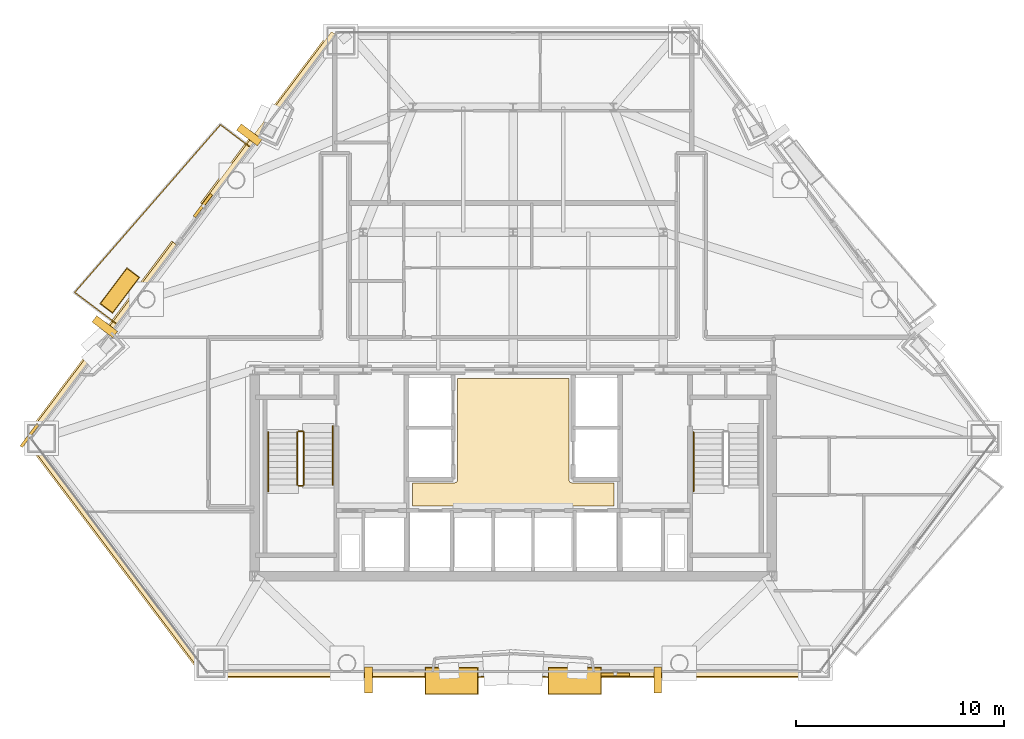
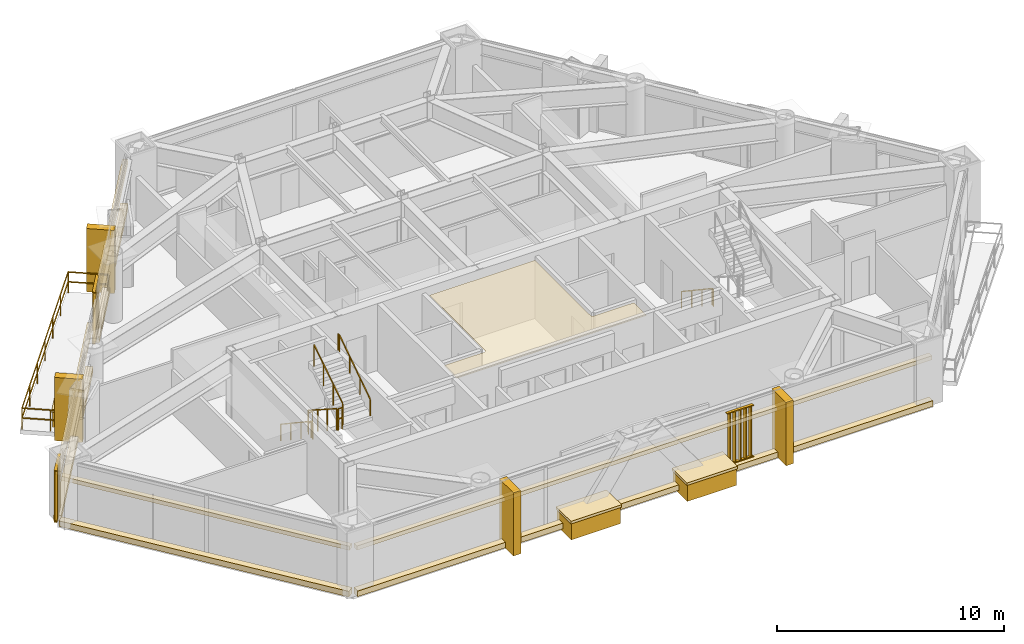
# One storey, part 10 of 11: 19 coverings, 8 railings, 3 shading devices.
"""IFC4 building model written with IfcOpenShell, lengths in metres."""

import ifcopenshell
import ifcopenshell.guid

model = None  # the IFC model being written
_history = None  # IfcOwnerHistory: only IFC2X3 demands one
_inside = {}  # id of a spatial element -> (the spatial element, [elements in it])
_under = {}  # id of a project, library or spatial element -> (it, [spatial elements below it])
_declared = {}  # id of a project -> (the project, [libraries it declares])
_typed = {}  # id of a type object -> (the type object, [elements of that type])
_made_of = {}  # id of a material, layer set ... -> (it, [elements and type objects made of it])


def new_model(schema):
    """Start an empty IFC model of exactly this schema.

    Asked for "IFC4X3", IfcOpenShell would pick the latest addendum, in which some entities
    have other attributes; the version numbers below select the first issue.
    IFC2X3 requires an IfcOwnerHistory on every rooted entity: one is made here for all.
    """
    global model, _history
    if schema == "IFC4X3":
        model = ifcopenshell.file(schema_version=(4, 3, 0, 0))
    else:
        model = ifcopenshell.file(schema=schema)
    _inside.clear()
    _under.clear()
    _declared.clear()
    _typed.clear()
    _made_of.clear()
    _history = None
    if model.schema == "IFC2X3":
        org = make("IfcOrganization", Name="unknown")
        user = make(
            "IfcPersonAndOrganization",
            ThePerson=make("IfcPerson", FamilyName="unknown"),
            TheOrganization=org,
        )
        app = make(
            "IfcApplication",
            ApplicationDeveloper=org,
            Version="unknown",
            ApplicationFullName="unknown",
            ApplicationIdentifier="unknown",
        )
        _history = make(
            "IfcOwnerHistory",
            OwningUser=user,
            OwningApplication=app,
            ChangeAction="ADDED",
            CreationDate=0,
        )
    return model


def make(cls, **values):
    """One entity of the class cls with the attributes given. An attribute that is None is left unset."""
    return model.create_entity(
        cls, **{name: value for name, value in values.items() if value is not None}
    )


def rooted(cls, **values):
    """An entity with a GlobalId (a new one), such as an element, a storey or a relation."""
    return make(cls, GlobalId=ifcopenshell.guid.new(), OwnerHistory=_history, **values)


def si_unit(unit_type, name, prefix=None):
    """IfcSIUnit, for example si_unit("LENGTHUNIT", "METRE", prefix="MILLI")."""
    return make("IfcSIUnit", UnitType=unit_type, Prefix=prefix, Name=name)


def assignment(units):
    """IfcUnitAssignment: the units of a project."""
    return None if units is None else make("IfcUnitAssignment", Units=units)


def point(xyz):
    """IfcCartesianPoint."""
    return None if xyz is None else make("IfcCartesianPoint", Coordinates=xyz)


def direction(xyz):
    """IfcDirection."""
    return None if xyz is None else make("IfcDirection", DirectionRatios=xyz)


def frame(location, z_axis=None, x_axis=None):
    """IfcAxis2Placement3D, a coordinate frame: its origin and axes. An axis left out is left unset."""
    return make(
        "IfcAxis2Placement3D",
        Location=point(location),
        Axis=direction(z_axis),
        RefDirection=direction(x_axis),
    )


def frame_2d(location, x_axis=None):
    """IfcAxis2Placement2D, a coordinate frame in the plane: its origin and x axis."""
    return make(
        "IfcAxis2Placement2D", Location=point(location), RefDirection=direction(x_axis)
    )


def origin():
    """The frame at (0, 0, 0) with its axes left unset."""
    return frame((0.0, 0.0, 0.0))


def origin_2d():
    """The frame at (0, 0) in the plane with its x axis left unset."""
    return frame_2d((0.0, 0.0))


def place(relative_to, where):
    """IfcLocalPlacement: puts the frame where relative to a parent placement (None: the world)."""
    return make(
        "IfcLocalPlacement", PlacementRelTo=relative_to, RelativePlacement=where
    )


def context(
    kind, dimensions, precision=None, world=None, true_north=None, identifier=None
):
    """IfcGeometricRepresentationContext, for example the 3D "Model" context."""
    return make(
        "IfcGeometricRepresentationContext",
        ContextIdentifier=identifier,
        ContextType=kind,
        CoordinateSpaceDimension=dimensions,
        Precision=precision,
        WorldCoordinateSystem=world,
        TrueNorth=true_north,
    )


def subcontext(parent, identifier, kind, view, scale=None):
    """IfcGeometricRepresentationSubContext, for example "Body" below "Model"."""
    return make(
        "IfcGeometricRepresentationSubContext",
        ContextIdentifier=identifier,
        ContextType=kind,
        ParentContext=parent,
        TargetScale=scale,
        TargetView=view,
    )


def project(units=None, contexts=None):
    """IfcProject with its units and contexts."""
    return rooted(
        "IfcProject",
        Name="project",
        RepresentationContexts=contexts,
        UnitsInContext=assignment(units),
    )


def spatial(cls, under=None, at=None, **own):
    """A site, building, storey or space (cls), placed at a placement, below another one or the project."""
    s = rooted(cls, ObjectPlacement=at, **own)
    if under is not None:
        _under.setdefault(under.id(), (under, []))[1].append(s)
    return s


def polyline(points):
    """IfcPolyline through the points."""
    return make("IfcPolyline", Points=[point(p) for p in points])


def profile(cls, at=None, kind="AREA", **sizes):
    """A parametric profile (cls). Its sizes go by their IFC names, for example OverallWidth=200.0."""
    return make(cls, ProfileType=kind, Position=at, **sizes)


def rectangle(**sizes):
    """IfcRectangleProfileDef."""
    return profile("IfcRectangleProfileDef", **sizes)


def outline(outer, holes=None, kind="AREA"):
    """IfcArbitraryClosedProfileDef: a profile drawn as a closed curve; with holes, ...WithVoids."""
    if holes is None:
        return make("IfcArbitraryClosedProfileDef", ProfileType=kind, OuterCurve=outer)
    return make(
        "IfcArbitraryProfileDefWithVoids",
        ProfileType=kind,
        OuterCurve=outer,
        InnerCurves=holes,
    )


def extrude(swept, where, along, depth):
    """IfcExtrudedAreaSolid: the profile swept, set in the frame where, extruded along a direction by depth."""
    return make(
        "IfcExtrudedAreaSolid",
        SweptArea=swept,
        Position=where,
        ExtrudedDirection=direction(along),
        Depth=depth,
    )


def shape(context_of_items, identifier, shape_type, items):
    """IfcShapeRepresentation: the items that make up one representation, for example the "Body"."""
    return make(
        "IfcShapeRepresentation",
        ContextOfItems=context_of_items,
        RepresentationIdentifier=identifier,
        RepresentationType=shape_type,
        Items=items,
    )


def source(mapping_origin, context_of_items, identifier, shape_type, items):
    """IfcRepresentationMap: a shape defined once, which mapped items show again and again."""
    return make(
        "IfcRepresentationMap",
        MappingOrigin=mapping_origin,
        MappedRepresentation=shape(context_of_items, identifier, shape_type, items),
    )


def transform(
    local_origin,
    x_axis=None,
    y_axis=None,
    z_axis=None,
    scale=None,
    scale2=None,
    scale3=None,
    uniform=True,
):
    """IfcCartesianTransformationOperator3D, or its non-uniform kind. x_axis, y_axis, z_axis: its Axis1, 2, 3."""
    if uniform:
        return make(
            "IfcCartesianTransformationOperator3D",
            Axis1=direction(x_axis),
            Axis2=direction(y_axis),
            LocalOrigin=point(local_origin),
            Scale=scale,
            Axis3=direction(z_axis),
        )
    return make(
        "IfcCartesianTransformationOperator3DnonUniform",
        Axis1=direction(x_axis),
        Axis2=direction(y_axis),
        LocalOrigin=point(local_origin),
        Scale=scale,
        Axis3=direction(z_axis),
        Scale2=scale2,
        Scale3=scale3,
    )


def mapped(mapping_source, mapping_target):
    """IfcMappedItem: shows the shape of a source again, moved by a transform."""
    return make(
        "IfcMappedItem", MappingSource=mapping_source, MappingTarget=mapping_target
    )


def material(Name=None, Category=None):
    """IfcMaterial."""
    return make("IfcMaterial", Name=Name, Category=Category)


def layer(
    of_material, thickness, ventilated=None, Name=None, Category=None, Priority=None
):
    """IfcMaterialLayer: one layer of a wall or slab, of a material (None: an air gap)."""
    return make(
        "IfcMaterialLayer",
        Material=of_material,
        LayerThickness=thickness,
        IsVentilated=ventilated,
        Name=Name,
        Category=Category,
        Priority=Priority,
    )


def layer_set(layers, Name=None):
    """IfcMaterialLayerSet."""
    return make("IfcMaterialLayerSet", MaterialLayers=layers, LayerSetName=Name)


def made_of(thing, what):
    """Note that an element or type object is made of a material, layer set ...; save() writes the relation."""
    if what is not None:
        _made_of.setdefault(what.id(), (what, []))[1].append(thing)
    return thing


def type_object(cls, material=None, **own):
    """A type object (cls), such as IfcWallType, which elements share."""
    return made_of(rooted(cls, **own), material)


def type_shapes(of_type, sources):
    """Give a type object the sources (RepresentationMaps) that its elements show as mapped items."""
    of_type.RepresentationMaps = sources


def element(
    cls,
    number,
    at=None,
    inside=None,
    cuts=None,
    type_object=None,
    material=None,
    context=None,
    identifier="Body",
    shape_type=None,
    held_by="IfcProductDefinitionShape",
    body=None,
    shapes=None,
    **own,
):
    """One element of the class cls, such as IfcWall. Its Tag is "e" and its number.

    at: its placement. inside: the storey or other place that contains it. cuts: it is an
    opening in that element (IfcRelVoidsElement). A single representation is given by context,
    identifier, shape_type and body (its items); several are given by shapes. held_by: the class
    of the entity that holds the representations. save() writes the other relations.
    """
    e = rooted(cls, Tag="e%d" % number, ObjectPlacement=at, **own)
    if body is not None:
        shapes = [shape(context, identifier, shape_type, body)]
    if shapes is not None:
        e.Representation = make(held_by, Representations=shapes)
    if inside is not None:
        _inside.setdefault(inside.id(), (inside, []))[1].append(e)
    if cuts is not None:
        rooted(
            "IfcRelVoidsElement", RelatingBuildingElement=cuts, RelatedOpeningElement=e
        )
    if type_object is not None:
        _typed.setdefault(type_object.id(), (type_object, []))[1].append(e)
    return made_of(e, material)


def aggregate(whole, parts):
    """IfcRelAggregates: a whole, such as a stair, and the parts it consists of."""
    return rooted("IfcRelAggregates", RelatingObject=whole, RelatedObjects=parts)


def save(model, path):
    """Write the relations noted so far, then the file.

    IfcRelAggregates (storeys below a building ...), IfcRelContainedInSpatialStructure (elements
    in a storey), IfcRelDefinesByType, IfcRelAssociatesMaterial and IfcRelDeclares: one each for
    every whole, place, type object, material and project.
    """
    for whole, parts in _under.values():
        aggregate(whole, parts)
    for where, things in _inside.values():
        rooted(
            "IfcRelContainedInSpatialStructure",
            RelatedElements=things,
            RelatingStructure=where,
        )
    for kind, things in _typed.values():
        rooted("IfcRelDefinesByType", RelatedObjects=things, RelatingType=kind)
    for what, things in _made_of.values():
        rooted("IfcRelAssociatesMaterial", RelatedObjects=things, RelatingMaterial=what)
    for by, libraries in _declared.values():
        rooted("IfcRelDeclares", RelatingContext=by, RelatedDefinitions=libraries)
    model.write(path)


model = new_model("IFC4")

# Units and contexts
model_context = context("Model", 3, precision=1e-05, world=origin(), true_north=direction((0.0, 1.0)))
body_context = subcontext(model_context, "Body", "Model", "MODEL_VIEW")
ifc_project = project(units=[si_unit("LENGTHUNIT", "METRE"), si_unit("AREAUNIT", "SQUARE_METRE"), si_unit("VOLUMEUNIT", "CUBIC_METRE"), si_unit("PLANEANGLEUNIT", "RADIAN"), si_unit("MASSUNIT", "GRAM", prefix="KILO")], contexts=[model_context])

# Site, building, storey
site_placement = place(None, origin())
site = spatial("IfcSite", under=ifc_project, at=site_placement, CompositionType="ELEMENT")
building_placement = place(site_placement, origin())
building = spatial("IfcBuilding", under=site, at=building_placement, Name="Talgorran Terracotta Tower", CompositionType="ELEMENT")
storey_placement = place(building_placement, frame((0.0, 0.0, 35.10009765625)))
storey = spatial("IfcBuildingStorey", under=building, at=storey_placement, Name="L08", CompositionType="ELEMENT", Elevation=35.10009765625)

# Coverings
ifc_material_1 = material(Name="Kiln-Fired Terracotta Ochre Ceramic", Category="masonry")
ifc_layer_1 = layer(ifc_material_1, 0.179931640625, Name="COV_BAGUETTE_TERRACOTTA_SCREEN")
ifc_layer_set_1 = layer_set([ifc_layer_1], Name="Kiln-Fired Terracotta Ochre Ceramic")
covering_type_1 = type_object("IfcCoveringType", Name="COV_BAGUETTE_TERRACOTTA_SCREEN", PredefinedType="CLADDING", material=ifc_layer_set_1)
covering_1_placement = place(storey_placement, frame((-18.9912109375, -13.1455078125, 2.41015625), z_axis=(0.0, 0.0, 1.0), x_axis=(0.601815023152, -0.798635510047, 0.0)))
element("IfcCovering", 1, at=covering_1_placement, inside=storey, type_object=covering_type_1, Name="L08 Terracotta Baguette Solar Screen Assembly F0", PredefinedType="CLADDING", context=body_context, shape_type="SweptSolid", body=[
    extrude(rectangle(XDim=13.870849609375, YDim=0.260009765625, at=origin_2d()), origin(), (0.0, 0.0, 1.0), 0.219970703125),
])
covering_2_placement = place(storey_placement, frame((0.0, -18.780029296875, 2.41015625), z_axis=(0.0, 0.0, 1.0), x_axis=(1.0, 0.0, 0.0)))
element("IfcCovering", 2, at=covering_2_placement, inside=storey, type_object=covering_type_1, Name="L08 Terracotta Baguette Solar Screen Assembly F1", PredefinedType="CLADDING", context=body_context, shape_type="SweptSolid", body=[
    extrude(rectangle(XDim=29.250732421875, YDim=0.260009765625, at=origin_2d()), origin(), (0.0, 0.0, 1.0), 0.219970703125),
])
covering_3_placement = place(storey_placement, frame((-11.719970703125, 7.813720703125, 2.41015625), z_axis=(0.0, 0.0, 1.0), x_axis=(-0.601801084241, -0.798646013579, 0.0)))
element("IfcCovering", 3, at=covering_3_placement, inside=storey, type_object=covering_type_1, Name="L08 Terracotta Baguette Solar Screen Assembly F60", PredefinedType="CLADDING", context=body_context, shape_type="SweptSolid", body=[
    extrude(rectangle(XDim=10.33984375, YDim=0.260009765625, at=origin_2d()), origin(), (0.0, 0.0, 1.0), 0.219970703125),
])
covering_4_placement = place(storey_placement, frame((-19.67822265625, -2.747314453125, 2.41015625), z_axis=(0.0, 0.0, 1.0), x_axis=(-0.601815023152, -0.798635510047, 0.0)))
element("IfcCovering", 4, at=covering_4_placement, inside=storey, type_object=covering_type_1, Name="L08 Terracotta Baguette Solar Screen Assembly F61", PredefinedType="CLADDING", context=body_context, shape_type="SweptSolid", body=[
    extrude(rectangle(XDim=11.5078125, YDim=0.260009765625, at=origin_2d()), origin(), (0.0, 0.0, 1.0), 0.219970703125),
])
ifc_material_2 = material(Name="Flush Moisture-Resistant Plaster")
ifc_layer_2 = layer(ifc_material_2, 0.01806640625, Name="COV_CEIL_PLASTER")
ifc_layer_set_2 = layer_set([ifc_layer_2], Name="Flush Moisture-Resistant Plaster")
covering_type_2 = type_object("IfcCoveringType", Name="COV_CEIL_PLASTER", PredefinedType="CEILING", material=ifc_layer_set_2)
covering_5_placement = place(storey_placement, frame((0.0, 0.0, 3.260009765625)))
element("IfcCovering", 5, at=covering_5_placement, inside=storey, type_object=covering_type_2, Name="CEIL-L08-1", PredefinedType="CEILING", context=body_context, shape_type="SweptSolid", body=[
    extrude(outline(polyline([(-4.830078125, -9.6201171875), (-2.800048828125, -9.6201171875), (-2.7880859375, -9.619384765625), (-2.776611328125, -9.61767578125), (-2.76513671875, -9.61474609375), (-2.754150390625, -9.61083984375), (-2.743408203125, -9.605712890625), (-2.7333984375, -9.599853515625), (-2.723876953125, -9.5927734375), (-2.715087890625, -9.5849609375), (-2.707275390625, -9.576171875), (-2.7001953125, -9.566650390625), (-2.694091796875, -9.556640625), (-2.689208984375, -9.5458984375), (-2.685302734375, -9.534912109375), (-2.682373046875, -9.5234375), (-2.6806640625, -9.51171875), (-2.679931640625, -9.5), (-2.679931640625, -4.6201171875), (2.679931640625, -4.6201171875), (2.679931640625, -9.5), (2.6806640625, -9.51171875), (2.682373046875, -9.5234375), (2.685302734375, -9.534912109375), (2.689208984375, -9.5458984375), (2.694091796875, -9.556640625), (2.7001953125, -9.566650390625), (2.707275390625, -9.576171875), (2.715087890625, -9.5849609375), (2.723876953125, -9.5927734375), (2.7333984375, -9.599853515625), (2.743408203125, -9.605712890625), (2.754150390625, -9.61083984375), (2.76513671875, -9.61474609375), (2.776611328125, -9.61767578125), (2.7880859375, -9.619384765625), (2.800048828125, -9.6201171875), (4.830078125, -9.6201171875), (4.830078125, -10.72998046875), (-4.830078125, -10.72998046875), (-4.830078125, -9.6201171875)])), origin(), (0.0, 0.0, 1.0), 0.019775390625),
])
ifc_material_3 = material(Name="Honed Limestone and Terracotta Planter", Category="masonry")
ifc_layer_3 = layer(ifc_material_3, 0.1201171875, Name="COV_PLANTER_BOX")
ifc_layer_set_3 = layer_set([ifc_layer_3], Name="Honed Limestone and Terracotta Planter")
covering_type_3 = type_object("IfcCoveringType", Name="COV_PLANTER_BOX", PredefinedType="CLADDING", material=ifc_layer_set_3)
for number, where, z_axis, x_axis, name in (
    (6, (-2.950927734375, -19.1201171875, -0.18017578125), (0.0, 0.0, 1.0), (1.0, 0.0, 0.0), "L08 Staggered South Facade Planter Box 1"),
    (7, (2.950927734375, -19.1201171875, -0.18017578125), (0.0, 0.0, 1.0), (1.0, 0.0, 0.0), "L08 Staggered South Facade Planter Box 2"),
):
    element("IfcCovering", number, at=place(storey_placement, frame(where, z_axis=z_axis, x_axis=x_axis)), inside=storey, type_object=covering_type_3, Name=name, PredefinedType="CLADDING", context=body_context, shape_type="SweptSolid", body=[
        extrude(rectangle(XDim=2.5, YDim=1.25, at=origin_2d()), origin(), (0.0, 0.0, 1.0), 0.919921875),
    ])
covering_6_placement = place(storey_placement, frame((-18.87255859375, -0.3984375, -0.02001953125), z_axis=(0.0, 0.0, 1.0), x_axis=(-0.601815023152, -0.798635510047, 0.0)))
element("IfcCovering", 8, at=covering_6_placement, inside=storey, type_object=covering_type_3, Name="L08 Staggered Balcony Planter Box BAL-NW", PredefinedType="CLADDING", context=body_context, shape_type="SweptSolid", body=[
    extrude(rectangle(XDim=2.10009765625, YDim=0.719970703125, at=origin_2d()), origin(), (0.0, 0.0, 1.0), 0.860107421875),
])
ifc_material_4 = material(Name="Kiln-Fired Terracotta Planter Rim", Category="masonry")
ifc_layer_4 = layer(ifc_material_4, 0.10009765625, Name="COV_PLANTER_RIM")
ifc_layer_set_4 = layer_set([ifc_layer_4], Name="Kiln-Fired Terracotta Planter Rim")
covering_type_4 = type_object("IfcCoveringType", Name="COV_PLANTER_RIM", PredefinedType="CLADDING", material=ifc_layer_set_4)
for number, where, z_axis, x_axis, name in (
    (9, (-2.950927734375, -19.1201171875, 0.7099609375), (0.0, 0.0, 1.0), (1.0, 0.0, 0.0), "L08 South Planter Terracotta Rim 1"),
    (10, (2.950927734375, -19.1201171875, 0.7099609375), (0.0, 0.0, 1.0), (1.0, 0.0, 0.0), "L08 South Planter Terracotta Rim 2"),
):
    element("IfcCovering", number, at=place(storey_placement, frame(where, z_axis=z_axis, x_axis=x_axis)), inside=storey, type_object=covering_type_4, Name=name, PredefinedType="CLADDING", context=body_context, shape_type="SweptSolid", body=[
        extrude(rectangle(XDim=2.580078125, YDim=1.320068359375, at=origin_2d()), origin(), (0.0, 0.0, 1.0), 0.139892578125),
    ])
covering_7_placement = place(storey_placement, frame((-18.87255859375, -0.3984375, 0.7998046875), z_axis=(0.0, 0.0, 1.0), x_axis=(-0.601815023152, -0.798635510047, 0.0)))
element("IfcCovering", 11, at=covering_7_placement, inside=storey, type_object=covering_type_4, Name="L08 Balcony Planter Terracotta Rim BAL-NW", PredefinedType="CLADDING", context=body_context, shape_type="SweptSolid", body=[
    extrude(rectangle(XDim=2.179931640625, YDim=0.780029296875, at=origin_2d()), origin(), (0.0, 0.0, 1.0), 0.1201171875),
])
ifc_material_5 = material(Name="Honed Limestone Cladding", Category="masonry")
ifc_layer_5 = layer(ifc_material_5, 0.094970703125, Name="COV_PORTAL_LIME")
ifc_layer_set_5 = layer_set([ifc_layer_5], Name="Honed Limestone Cladding")
covering_type_5 = type_object("IfcCoveringType", Name="COV_PORTAL_LIME", PredefinedType="CLADDING", material=ifc_layer_set_5)
covering_8_placement = place(storey_placement, frame((-19.023193359375, -13.16943359375, -0.0400390625), z_axis=(0.0, 0.0, 1.0), x_axis=(0.601815023152, -0.798635510047, 0.0)))
element("IfcCovering", 12, at=covering_8_placement, inside=storey, type_object=covering_type_5, Name="L08 Striped Postmodern Portal Cladding Band F0", PredefinedType="CLADDING", context=body_context, shape_type="SweptSolid", body=[
    extrude(rectangle(XDim=13.890869140625, YDim=0.340087890625, at=origin_2d()), origin(), (0.0, 0.0, 1.0), 0.300048828125),
])
covering_9_placement = place(storey_placement, frame((0.0, -18.820068359375, -0.0400390625), z_axis=(0.0, 0.0, 1.0), x_axis=(1.0, 0.0, 0.0)))
element("IfcCovering", 13, at=covering_9_placement, inside=storey, type_object=covering_type_5, Name="L08 Striped Postmodern Portal Cladding Band F1", PredefinedType="CLADDING", context=body_context, shape_type="SweptSolid", body=[
    extrude(rectangle(XDim=29.270751953125, YDim=0.340087890625, at=origin_2d()), origin(), (0.0, 0.0, 1.0), 0.300048828125),
])
covering_10_placement = place(storey_placement, frame((-11.751953125, 7.837890625, -0.0400390625), z_axis=(0.0, 0.0, 1.0), x_axis=(-0.601801084241, -0.798646013579, 0.0)))
element("IfcCovering", 14, at=covering_10_placement, inside=storey, type_object=covering_type_5, Name="L08 Striped Postmodern Portal Cladding Band F60", PredefinedType="CLADDING", context=body_context, shape_type="SweptSolid", body=[
    extrude(rectangle(XDim=10.35986328125, YDim=0.340087890625, at=origin_2d()), origin(), (0.0, 0.0, 1.0), 0.300048828125),
])
covering_11_placement = place(storey_placement, frame((-19.710205078125, -2.72314453125, -0.0400390625), z_axis=(0.0, 0.0, 1.0), x_axis=(-0.601815023152, -0.798635510047, 0.0)))
element("IfcCovering", 15, at=covering_11_placement, inside=storey, type_object=covering_type_5, Name="L08 Striped Postmodern Portal Cladding Band F61", PredefinedType="CLADDING", context=body_context, shape_type="SweptSolid", body=[
    extrude(rectangle(XDim=11.527587890625, YDim=0.340087890625, at=origin_2d()), origin(), (0.0, 0.0, 1.0), 0.300048828125),
])
for number, where, z_axis, x_axis, name in (
    (16, (6.934814453125, -19.080078125, -0.050048828125), (0.0, 0.0, 1.0), (1.0, 0.0, 0.0), "L08 White Striped Portal Fin F1-2"),
    (17, (-19.591064453125, -2.133056640625, -0.050048828125), (0.0, 0.0, 1.0), (-0.601815023152, -0.798635510047, 0.0), "L08 White Striped Portal Fin F5-2"),
):
    element("IfcCovering", number, at=place(storey_placement, frame(where, z_axis=z_axis, x_axis=x_axis)), inside=storey, type_object=covering_type_5, Name=name, PredefinedType="CLADDING", context=body_context, shape_type="SweptSolid", body=[
        extrude(rectangle(XDim=0.3798828125, YDim=1.25, at=origin_2d()), origin(), (0.0, 0.0, 1.0), 3.39990234375),
    ])
ifc_material_6 = material(Name="Kiln-Fired Terracotta Cladding", Category="masonry")
ifc_layer_6 = layer(ifc_material_6, 0.090087890625, Name="COV_PORTAL_TERRA")
ifc_layer_set_6 = layer_set([ifc_layer_6], Name="Kiln-Fired Terracotta Cladding")
covering_type_6 = type_object("IfcCoveringType", Name="COV_PORTAL_TERRA", PredefinedType="CLADDING", material=ifc_layer_set_6)
for number, where, z_axis, x_axis, name in (
    (18, (-6.934814453125, -19.080078125, -0.050048828125), (0.0, 0.0, 1.0), (1.0, 0.0, 0.0), "L08 Terracotta Striped Portal Fin F1-1"),
    (19, (-12.656005859375, 7.070068359375, -0.050048828125), (0.0, 0.0, 1.0), (-0.601815023152, -0.798635510047, 0.0), "L08 Terracotta Striped Portal Fin F5-1"),
):
    element("IfcCovering", number, at=place(storey_placement, frame(where, z_axis=z_axis, x_axis=x_axis)), inside=storey, type_object=covering_type_6, Name=name, PredefinedType="CLADDING", context=body_context, shape_type="SweptSolid", body=[
        extrude(rectangle(XDim=0.3798828125, YDim=1.25, at=origin_2d()), origin(), (0.0, 0.0, 1.0), 3.39990234375),
    ])

# Railings
ifc_material_7 = material(Name="Laminated Glass and Stainless Steel 316", Category="steel")
railing_type_1 = type_object("IfcRailingType", Name="RL_BALCONY_1150", PredefinedType="BALUSTRADE", material=ifc_material_7)
railing_1_placement = place(storey_placement, frame((-12.6220703125, 6.483642578125, 0.0)))
element("IfcRailing", 20, at=railing_1_placement, inside=storey, type_object=railing_type_1, Name="RL-L08-BAL-BAL-NW", PredefinedType="BALUSTRADE", context=body_context, shape_type="SweptSolid", body=[
    extrude(rectangle(XDim=0.048095703125, YDim=0.048095703125, at=origin_2d()), frame((0.0, 0.0, 1.1259765625), z_axis=(-0.798599421322, 0.60186291152, 0.0), x_axis=(-0.60186291152, -0.798599421322, 0.0)), (0.0, 0.0, 1.0), 1.78076171875),
    extrude(rectangle(XDim=0.048095703125, YDim=0.048095703125, at=origin_2d()), frame((0.0, 0.0, 0.597900390625), z_axis=(-0.798599421322, 0.60186291152, 0.0), x_axis=(-0.60186291152, -0.798599421322, 0.0)), (0.0, 0.0, 1.0), 1.78076171875),
    extrude(rectangle(XDim=0.048095703125, YDim=0.048095703125, at=origin_2d()), frame((-1.422119140625, 1.07177734375, 1.1259765625), z_axis=(-0.655873996829, -0.754870386413, 0.0), x_axis=(0.754870386413, -0.655873996829, 0.0)), (0.0, 0.0, 1.0), 10.65380859375),
    extrude(rectangle(XDim=0.048095703125, YDim=0.048095703125, at=origin_2d()), frame((-1.422119140625, 1.07177734375, 0.597900390625), z_axis=(-0.655873996829, -0.754870386413, 0.0), x_axis=(0.754870386413, -0.655873996829, 0.0)), (0.0, 0.0, 1.0), 10.65380859375),
    extrude(rectangle(XDim=0.048095703125, YDim=0.048095703125, at=origin_2d()), frame((-8.40966796875, -6.970458984375, 1.1259765625), z_axis=(0.798650114079, -0.601795642459, 0.0), x_axis=(0.601795642459, 0.798650114079, 0.0)), (0.0, 0.0, 1.0), 2.521240234375),
    extrude(rectangle(XDim=0.048095703125, YDim=0.048095703125, at=origin_2d()), frame((-8.40966796875, -6.970458984375, 0.597900390625), z_axis=(0.798650114079, -0.601795642459, 0.0), x_axis=(0.601795642459, 0.798650114079, 0.0)), (0.0, 0.0, 1.0), 2.521240234375),
    extrude(rectangle(XDim=0.0419921875, YDim=0.0419921875, at=origin_2d()), origin(), (0.0, 0.0, 1.0), 1.101806640625),
    extrude(rectangle(XDim=0.0419921875, YDim=0.0419921875, at=origin_2d()), frame((-1.422119140625, 1.07177734375, 0.0)), (0.0, 0.0, 1.0), 1.101806640625),
    extrude(rectangle(XDim=0.0419921875, YDim=0.0419921875, at=origin_2d()), frame((-2.586669921875, -0.2685546875, 0.0)), (0.0, 0.0, 1.0), 1.101806640625),
    extrude(rectangle(XDim=0.0419921875, YDim=0.0419921875, at=origin_2d()), frame((-3.751220703125, -1.60888671875, 0.0)), (0.0, 0.0, 1.0), 1.101806640625),
    extrude(rectangle(XDim=0.0419921875, YDim=0.0419921875, at=origin_2d()), frame((-4.916015625, -2.94921875, 0.0)), (0.0, 0.0, 1.0), 1.101806640625),
    extrude(rectangle(XDim=0.0419921875, YDim=0.0419921875, at=origin_2d()), frame((-6.08056640625, -4.289794921875, 0.0)), (0.0, 0.0, 1.0), 1.101806640625),
    extrude(rectangle(XDim=0.0419921875, YDim=0.0419921875, at=origin_2d()), frame((-7.2451171875, -5.630126953125, 0.0)), (0.0, 0.0, 1.0), 1.101806640625),
    extrude(rectangle(XDim=0.0419921875, YDim=0.0419921875, at=origin_2d()), frame((-8.40966796875, -6.970458984375, 0.0)), (0.0, 0.0, 1.0), 1.101806640625),
    extrude(rectangle(XDim=0.0419921875, YDim=0.0419921875, at=origin_2d()), frame((-7.40283203125, -7.72900390625, 0.0)), (0.0, 0.0, 1.0), 1.101806640625),
    extrude(rectangle(XDim=0.0419921875, YDim=0.0419921875, at=origin_2d()), frame((-6.39599609375, -8.48779296875, 0.0)), (0.0, 0.0, 1.0), 1.101806640625),
])
ifc_material_8 = material(Name="Steel S355 (300PLUS)", Category="steel")
railing_type_2 = type_object("IfcRailingType", Name="RL_HANDRAIL_920", PredefinedType="HANDRAIL", material=ifc_material_8)
railing_2_placement = place(storey_placement, frame((-11.75, -7.199951171875, 0.179931640625)))
element("IfcRailing", 21, at=railing_2_placement, inside=storey, type_object=railing_type_2, Name="L08 ST-01 stair handrail 1", PredefinedType="HANDRAIL", context=body_context, shape_type="SweptSolid", body=[
    extrude(rectangle(XDim=0.048095703125, YDim=0.048095703125, at=origin_2d()), frame((0.0, 0.0, 0.89599609375), z_axis=(0.0, -0.832038719335, 0.554717558338), x_axis=(1.0, 0.0, 0.0)), (0.0, 0.0, 1.0), 3.244873046875),
    extrude(rectangle(XDim=0.048095703125, YDim=0.048095703125, at=origin_2d()), frame((0.0, -2.699951171875, 2.69580078125), z_axis=(0.0, -1.0, 0.0), x_axis=(1.0, 0.0, 0.0)), (0.0, 0.0, 1.0), 0.1201171875),
    extrude(rectangle(XDim=0.0419921875, YDim=0.0419921875, at=origin_2d()), origin(), (0.0, 0.0, 1.0), 0.871826171875),
    extrude(rectangle(XDim=0.0419921875, YDim=0.0419921875, at=origin_2d()), frame((0.0, -0.89990234375, 0.60009765625)), (0.0, 0.0, 1.0), 0.871826171875),
    extrude(rectangle(XDim=0.0419921875, YDim=0.0419921875, at=origin_2d()), frame((0.0, -1.800048828125, 1.199951171875)), (0.0, 0.0, 1.0), 0.871826171875),
    extrude(rectangle(XDim=0.0419921875, YDim=0.0419921875, at=origin_2d()), frame((0.0, -2.699951171875, 1.800048828125)), (0.0, 0.0, 1.0), 0.871826171875),
    extrude(rectangle(XDim=0.0419921875, YDim=0.0419921875, at=origin_2d()), frame((0.0, -2.820068359375, 1.800048828125)), (0.0, 0.0, 1.0), 0.871826171875),
])
railing_3_placement = place(storey_placement, frame((-8.64990234375, -9.719970703125, 1.97998046875)))
element("IfcRailing", 22, at=railing_3_placement, inside=storey, type_object=railing_type_2, Name="L08 ST-01 stair handrail 2", PredefinedType="HANDRAIL", context=body_context, shape_type="SweptSolid", body=[
    extrude(rectangle(XDim=0.048095703125, YDim=0.048095703125, at=origin_2d()), frame((0.0, 0.0, 0.89599609375), z_axis=(0.0, 0.832073444223, 0.554665469827), x_axis=(-1.0, 0.0, 0.0)), (0.0, 0.0, 1.0), 3.244873046875),
    extrude(rectangle(XDim=0.048095703125, YDim=0.048095703125, at=origin_2d()), frame((0.0, 2.699951171875, 2.69580078125), z_axis=(0.0, 1.0, 0.0), x_axis=(-1.0, 0.0, 0.0)), (0.0, 0.0, 1.0), 0.1201171875),
    extrude(rectangle(XDim=0.0419921875, YDim=0.0419921875, at=origin_2d()), origin(), (0.0, 0.0, 1.0), 0.871826171875),
    extrude(rectangle(XDim=0.0419921875, YDim=0.0419921875, at=origin_2d()), frame((0.0, 0.89990234375, 0.599853515625)), (0.0, 0.0, 1.0), 0.871826171875),
    extrude(rectangle(XDim=0.0419921875, YDim=0.0419921875, at=origin_2d()), frame((0.0, 1.800048828125, 1.199951171875)), (0.0, 0.0, 1.0), 0.871826171875),
    extrude(rectangle(XDim=0.0419921875, YDim=0.0419921875, at=origin_2d()), frame((0.0, 2.699951171875, 1.7998046875)), (0.0, 0.0, 1.0), 0.871826171875),
    extrude(rectangle(XDim=0.0419921875, YDim=0.0419921875, at=origin_2d()), frame((0.0, 2.820068359375, 1.7998046875)), (0.0, 0.0, 1.0), 0.871826171875),
])
railing_4_placement = place(storey_placement, frame((8.64990234375, -7.199951171875, 0.179931640625)))
element("IfcRailing", 23, at=railing_4_placement, inside=storey, type_object=railing_type_2, Name="L08 ST-02 stair handrail 1", PredefinedType="HANDRAIL", context=body_context, shape_type="SweptSolid", body=[
    extrude(rectangle(XDim=0.048095703125, YDim=0.048095703125, at=origin_2d()), frame((0.0, 0.0, 0.89599609375), z_axis=(0.0, -0.832038719335, 0.554717558338), x_axis=(1.0, 0.0, 0.0)), (0.0, 0.0, 1.0), 3.244873046875),
    extrude(rectangle(XDim=0.048095703125, YDim=0.048095703125, at=origin_2d()), frame((0.0, -2.699951171875, 2.69580078125), z_axis=(0.0, -1.0, 0.0), x_axis=(1.0, 0.0, 0.0)), (0.0, 0.0, 1.0), 0.1201171875),
    extrude(rectangle(XDim=0.0419921875, YDim=0.0419921875, at=origin_2d()), origin(), (0.0, 0.0, 1.0), 0.871826171875),
    extrude(rectangle(XDim=0.0419921875, YDim=0.0419921875, at=origin_2d()), frame((0.0, -0.89990234375, 0.60009765625)), (0.0, 0.0, 1.0), 0.871826171875),
    extrude(rectangle(XDim=0.0419921875, YDim=0.0419921875, at=origin_2d()), frame((0.0, -1.800048828125, 1.199951171875)), (0.0, 0.0, 1.0), 0.871826171875),
    extrude(rectangle(XDim=0.0419921875, YDim=0.0419921875, at=origin_2d()), frame((0.0, -2.699951171875, 1.800048828125)), (0.0, 0.0, 1.0), 0.871826171875),
    extrude(rectangle(XDim=0.0419921875, YDim=0.0419921875, at=origin_2d()), frame((0.0, -2.820068359375, 1.800048828125)), (0.0, 0.0, 1.0), 0.871826171875),
])
railing_type_3 = type_object("IfcRailingType", Name="RL_STAIR_GUARD", PredefinedType="GUARDRAIL", material=ifc_material_8)
railing_5_placement = place(storey_placement, frame((-10.35009765625, -7.199951171875, 0.179931640625)))
element("IfcRailing", 24, at=railing_5_placement, inside=storey, type_object=railing_type_3, Name="L08 ST-01 stair guard 1", PredefinedType="GUARDRAIL", context=body_context, shape_type="SweptSolid", body=[
    extrude(rectangle(XDim=0.048095703125, YDim=0.048095703125, at=origin_2d()), frame((0.0, 0.0, 1.15576171875), z_axis=(0.0, -0.841199657755, 0.540724639528), x_axis=(1.0, 0.0, 0.0)), (0.0, 0.0, 1.0), 2.995849609375),
    extrude(rectangle(XDim=0.0419921875, YDim=0.0419921875, at=origin_2d()), origin(), (0.0, 0.0, 1.0), 1.1318359375),
    extrude(rectangle(XDim=0.0419921875, YDim=0.0419921875, at=origin_2d()), frame((0.0, -0.840087890625, 0.5400390625)), (0.0, 0.0, 1.0), 1.1318359375),
    extrude(rectangle(XDim=0.0419921875, YDim=0.0419921875, at=origin_2d()), frame((0.0, -1.679931640625, 1.079833984375)), (0.0, 0.0, 1.0), 1.1318359375),
    extrude(rectangle(XDim=0.0419921875, YDim=0.0419921875, at=origin_2d()), frame((0.0, -2.52001953125, 1.619873046875)), (0.0, 0.0, 1.0), 1.1318359375),
])
railing_6_placement = place(storey_placement, frame((-10.300048828125, -9.77001953125, 1.7998046875)))
element("IfcRailing", 25, at=railing_6_placement, inside=storey, type_object=railing_type_3, Name="L08 ST-01 stair guard 2", PredefinedType="GUARDRAIL", context=body_context, shape_type="SweptSolid", body=[
    extrude(rectangle(XDim=0.048095703125, YDim=0.048095703125, at=origin_2d()), frame((0.0, 0.0, 1.15576171875), z_axis=(1.0, 0.0, 0.0), x_axis=(0.0, 1.0, 0.0)), (0.0, 0.0, 1.0), 0.199951171875),
    extrude(rectangle(XDim=0.048095703125, YDim=0.048095703125, at=origin_2d()), frame((0.0, 0.0, 0.613525390625), z_axis=(1.0, 0.0, 0.0), x_axis=(0.0, 1.0, 0.0)), (0.0, 0.0, 1.0), 0.199951171875),
    extrude(rectangle(XDim=0.0419921875, YDim=0.0419921875, at=origin_2d()), origin(), (0.0, 0.0, 1.0), 1.1318359375),
    extrude(rectangle(XDim=0.0419921875, YDim=0.0419921875, at=origin_2d()), frame((0.199951171875, 0.0, 0.0)), (0.0, 0.0, 1.0), 1.1318359375),
])
railing_7_placement = place(storey_placement, frame((-10.050048828125, -9.719970703125, 1.97998046875)))
element("IfcRailing", 26, at=railing_7_placement, inside=storey, type_object=railing_type_3, Name="L08 ST-01 stair guard 3", PredefinedType="GUARDRAIL", context=body_context, shape_type="SweptSolid", body=[
    extrude(rectangle(XDim=0.048095703125, YDim=0.048095703125, at=origin_2d()), frame((0.0, 0.0, 1.15576171875), z_axis=(0.0, 0.841199657755, 0.540724639528), x_axis=(-1.0, 0.0, 0.0)), (0.0, 0.0, 1.0), 2.995849609375),
    extrude(rectangle(XDim=0.0419921875, YDim=0.0419921875, at=origin_2d()), origin(), (0.0, 0.0, 1.0), 1.1318359375),
    extrude(rectangle(XDim=0.0419921875, YDim=0.0419921875, at=origin_2d()), frame((0.0, 0.840087890625, 0.5400390625)), (0.0, 0.0, 1.0), 1.1318359375),
    extrude(rectangle(XDim=0.0419921875, YDim=0.0419921875, at=origin_2d()), frame((0.0, 1.679931640625, 1.079833984375)), (0.0, 0.0, 1.0), 1.1318359375),
    extrude(rectangle(XDim=0.0419921875, YDim=0.0419921875, at=origin_2d()), frame((0.0, 2.52001953125, 1.619873046875)), (0.0, 0.0, 1.0), 1.1318359375),
])
railing_8_placement = place(storey_placement, frame((-10.300048828125, -7.14990234375, 0.0)))
element("IfcRailing", 27, at=railing_8_placement, inside=storey, type_object=railing_type_3, Name="L08 ST-01 stair guard 4", PredefinedType="GUARDRAIL", context=body_context, shape_type="SweptSolid", body=[
    extrude(rectangle(XDim=0.048095703125, YDim=0.048095703125, at=origin_2d()), frame((0.0, 0.0, 1.15576171875), z_axis=(1.0, 0.0, 0.0), x_axis=(0.0, 1.0, 0.0)), (0.0, 0.0, 1.0), 0.199951171875),
    extrude(rectangle(XDim=0.048095703125, YDim=0.048095703125, at=origin_2d()), frame((0.0, 0.0, 0.613525390625), z_axis=(1.0, 0.0, 0.0), x_axis=(0.0, 1.0, 0.0)), (0.0, 0.0, 1.0), 0.199951171875),
    extrude(rectangle(XDim=0.0419921875, YDim=0.0419921875, at=origin_2d()), origin(), (0.0, 0.0, 1.0), 1.1318359375),
    extrude(rectangle(XDim=0.0419921875, YDim=0.0419921875, at=origin_2d()), frame((0.199951171875, 0.0, 0.0)), (0.0, 0.0, 1.0), 1.1318359375),
])

# Shading devices
ifc_material_9 = material(Name="Kiln-Fired Terracotta", Category="masonry")
ifc_layer_7 = layer(ifc_material_9, 0.139892578125, Name="SHD_BAGUETTE_TERRA")
ifc_layer_set_7 = layer_set([ifc_layer_7], Name="Kiln-Fired Terracotta")
shading_device_type = type_object("IfcShadingDeviceType", Name="SHD_BAGUETTE_TERRA", PredefinedType="JALOUSIE", material=ifc_layer_set_7)
shared_shape = source(origin(), body_context, "Body", "SweptSolid", [
    extrude(rectangle(XDim=1.35009765625, YDim=0.139892578125, at=origin_2d()), origin(), (0.0, 0.0, 1.0), 0.054931640625),
    extrude(rectangle(XDim=1.35009765625, YDim=0.139892578125, at=origin_2d()), frame((0.0, 0.0, 2.7451171875)), (0.0, 0.0, 1.0), 0.054931640625),
    extrude(rectangle(XDim=0.074951171875, YDim=0.139892578125, at=origin_2d()), frame((-0.53515625, 0.0, 0.054931640625), z_axis=(0.0, 0.0, 1.0), x_axis=(0.866025403784, 0.5, 0.0)), (0.0, 0.0, 1.0), 2.690185546875),
    extrude(rectangle(XDim=0.074951171875, YDim=0.139892578125, at=origin_2d()), frame((-0.267578125, 0.0, 0.054931640625), z_axis=(0.0, 0.0, 1.0), x_axis=(0.866025403784, 0.5, 0.0)), (0.0, 0.0, 1.0), 2.690185546875),
    extrude(rectangle(XDim=0.074951171875, YDim=0.139892578125, at=origin_2d()), frame((0.0, 0.0, 0.054931640625), z_axis=(0.0, 0.0, 1.0), x_axis=(0.866025403784, 0.5, 0.0)), (0.0, 0.0, 1.0), 2.690185546875),
    extrude(rectangle(XDim=0.074951171875, YDim=0.139892578125, at=origin_2d()), frame((0.267578125, 0.0, 0.054931640625), z_axis=(0.0, 0.0, 1.0), x_axis=(0.866025403784, 0.5, 0.0)), (0.0, 0.0, 1.0), 2.690185546875),
    extrude(rectangle(XDim=0.074951171875, YDim=0.139892578125, at=origin_2d()), frame((0.53515625, 0.0, 0.054931640625), z_axis=(0.0, 0.0, 1.0), x_axis=(0.866025403784, 0.5, 0.0)), (0.0, 0.0, 1.0), 2.690185546875),
])
type_shapes(shading_device_type, [shared_shape])
for number, where, z_axis, x_axis, name in (
    (28, (4.8984375, -18.820068359375, 0.35009765625), (0.0, 0.0, 1.0), (1.0, 0.0, 0.0), "BAG-L08-F1"),
    (29, (-14.8857421875, 3.67919921875, 0.35009765625), (0.0, 0.0, 1.0), (-0.601801084241, -0.798646013579, 0.0), "BAG-L08-F60"),
    (30, (-23.1953125, -7.34814453125, 0.35009765625), (0.0, 0.0, 1.0), (-0.601815023152, -0.798635510047, 0.0), "BAG-L08-F61"),
):
    element("IfcShadingDevice", number, at=place(storey_placement, frame(where, z_axis=z_axis, x_axis=x_axis)), inside=storey, type_object=shading_device_type, Name=name, PredefinedType="JALOUSIE", context=body_context, shape_type="MappedRepresentation", body=[
        mapped(shared_shape, transform((0.0, 0.0, 0.0), scale=1.0)),
    ])

save(model, "model.ifc")
